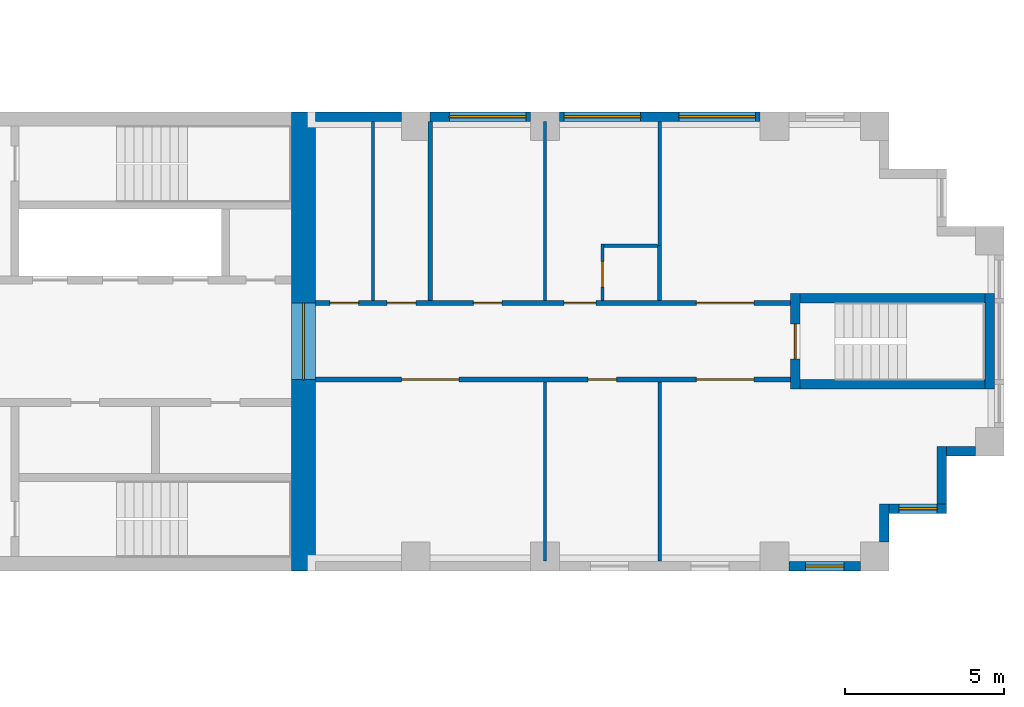
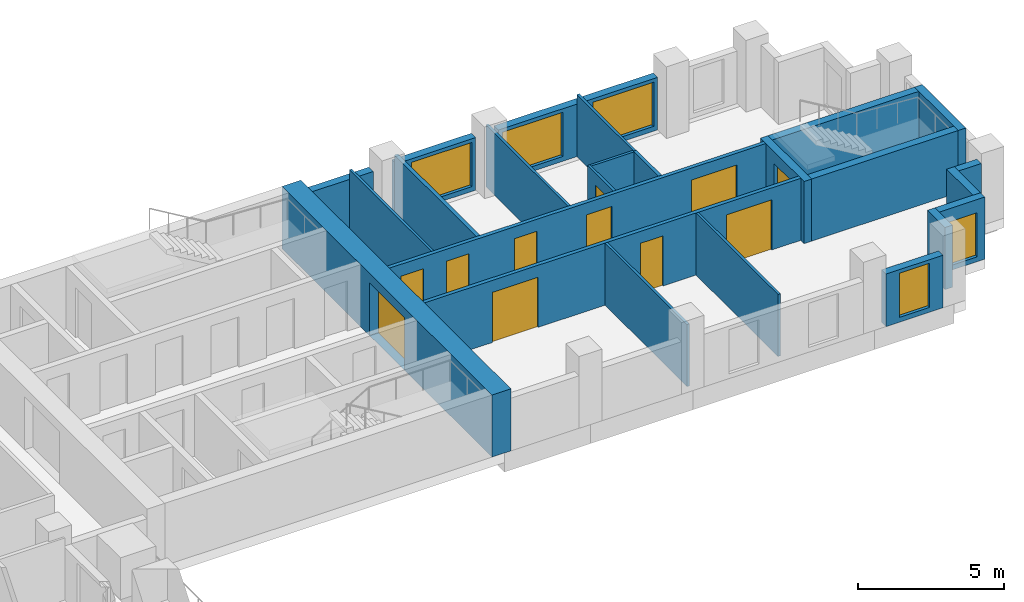
# One storey, part 8 of 11: 24 walls, 11 doors, 5 windows, 16 openings.
"""IFC4 building model written with IfcOpenShell, lengths in metres."""

from ifc_helpers import new_model, si_unit, direction, frame, frame_2d, origin, place, context, subcontext, project, spatial, rectangle, extrude, material, layer, layer_set, type_object, element, fill, save


model = new_model("IFC4")

# Units and contexts
model_context = context("Model", 3, precision=1e-05, world=origin(), true_north=direction((0.0, 1.0)))
body_context = subcontext(model_context, "Body", "Model", "MODEL_VIEW")
ifc_project = project(units=[si_unit("LENGTHUNIT", "METRE"), si_unit("AREAUNIT", "SQUARE_METRE"), si_unit("VOLUMEUNIT", "CUBIC_METRE"), si_unit("PLANEANGLEUNIT", "RADIAN"), si_unit("MASSUNIT", "GRAM", prefix="KILO")], contexts=[model_context])

# Site, building, storey
site_placement = place(None, origin())
site = spatial("IfcSite", under=ifc_project, at=site_placement, CompositionType="ELEMENT")
building_placement = place(site_placement, origin())
building = spatial("IfcBuilding", under=site, at=building_placement, Name="Fustian Cross Tower", CompositionType="ELEMENT")
storey_placement = place(building_placement, frame((0.0, 0.0, 138.300048828125)))
storey = spatial("IfcBuildingStorey", under=building, at=storey_placement, Name="L43", CompositionType="ELEMENT", Elevation=138.300048828125)

# Wall, openings, doors
ifc_material_1 = material(Name="Plasterboard on steel stud", Category="steel")
ifc_layer_1 = layer(ifc_material_1, 0.14990234375)
ifc_layer_set_1 = layer_set([ifc_layer_1], Name="Plasterboard on steel stud")
wall_type_1 = type_object("IfcWallType", Name="COMPARTMENT WALL 150 EI 60", PredefinedType="PARTITIONING", material=ifc_layer_set_1)
wall_1_placement = place(storey_placement, frame((21.60009765625, -1.199951171875, 0.0), z_axis=(0.0, 0.0, 1.0), x_axis=(1.0, 0.0, 0.0)))
wall_1 = element("IfcWall", 1, at=wall_1_placement, inside=storey, type_object=wall_type_1, Name="Partition 36", PredefinedType="PARTITIONING", context=body_context, shape_type="SweptSolid", body=[
    extrude(rectangle(XDim=14.89990234375, YDim=0.14990234375, at=frame_2d((7.449951171875, 0.0))), origin(), (0.0, 0.0, 1.0), 2.599853515625),
])
opening_1_placement = place(wall_1_placement, frame((2.699951171875, 0.0, 0.0)))
opening_1 = element("IfcOpeningElement", 2, at=opening_1_placement, cuts=wall_1, Name="Opening D20011", PredefinedType="OPENING", context=body_context, shape_type="SweptSolid", body=[
    extrude(rectangle(XDim=1.800048828125, YDim=2.10009765625, at=frame_2d((0.89990234375, 1.050048828125))), frame((0.0, 0.0849609375, 0.0), z_axis=(0.0, -1.0, 0.0), x_axis=(1.0, 0.0, 0.0)), (0.0, 0.0, 1.0), 0.169921875),
])
opening_2_placement = place(wall_1_placement, frame((8.550048828125, 0.0, 0.0)))
opening_2 = element("IfcOpeningElement", 3, at=opening_2_placement, cuts=wall_1, Name="Opening D20012", PredefinedType="OPENING", context=body_context, shape_type="SweptSolid", body=[
    extrude(rectangle(XDim=0.89990234375, YDim=2.10009765625, at=frame_2d((0.449951171875, 1.050048828125))), frame((0.0, 0.0849609375, 0.0), z_axis=(0.0, -1.0, 0.0), x_axis=(1.0, 0.0, 0.0)), (0.0, 0.0, 1.0), 0.169921875),
])
opening_3_placement = place(wall_1_placement, frame((11.949951171875, 0.0, 0.0)))
opening_3 = element("IfcOpeningElement", 4, at=opening_3_placement, cuts=wall_1, Name="Opening D20013", PredefinedType="OPENING", context=body_context, shape_type="SweptSolid", body=[
    extrude(rectangle(XDim=1.800048828125, YDim=2.10009765625, at=frame_2d((0.89990234375, 1.050048828125))), frame((0.0, 0.0849609375, 0.0), z_axis=(0.0, -1.0, 0.0), x_axis=(1.0, 0.0, 0.0)), (0.0, 0.0, 1.0), 0.169921875),
])
ifc_material_2 = material(Name="Timber fire door set", Category="wood")
door_type_1 = type_object("IfcDoorType", Name="FIRE DOUBLE DOOR 1800 FD30S", OperationType="DOUBLE_DOOR_DOUBLE_SWING", PredefinedType="DOOR", material=ifc_material_2)
door_1_placement = place(opening_1_placement, origin())
door_1 = element("IfcDoor", 5, at=door_1_placement, inside=storey, type_object=door_type_1, Name="Door D20011", OperationType="DOUBLE_DOOR_DOUBLE_SWING", OverallHeight=2.10009765625, OverallWidth=1.800048828125, PredefinedType="DOOR", context=body_context, shape_type="SweptSolid", body=[
    extrude(rectangle(XDim=1.800048828125, YDim=2.10009765625, at=frame_2d((0.89990234375, 1.050048828125))), frame((0.0, 0.02490234375, 0.0), z_axis=(0.0, -1.0, 0.0), x_axis=(1.0, 0.0, 0.0)), (0.0, 0.0, 1.0), 0.050048828125),
])
fill(opening_1, door_1)
door_2_placement = place(opening_3_placement, origin())
door_2 = element("IfcDoor", 6, at=door_2_placement, inside=storey, type_object=door_type_1, Name="Door D20013", OperationType="DOUBLE_DOOR_DOUBLE_SWING", OverallHeight=2.10009765625, OverallWidth=1.800048828125, PredefinedType="DOOR", context=body_context, shape_type="SweptSolid", body=[
    extrude(rectangle(XDim=1.800048828125, YDim=2.10009765625, at=frame_2d((0.89990234375, 1.050048828125))), frame((0.0, 0.02490234375, 0.0), z_axis=(0.0, -1.0, 0.0), x_axis=(1.0, 0.0, 0.0)), (0.0, 0.0, 1.0), 0.050048828125),
])
fill(opening_3, door_2)
ifc_material_3 = material(Name="Timber fire door set", Category="wood")
door_type_2 = type_object("IfcDoorType", Name="FIRE SWING DOOR 900 FD30S", OperationType="SINGLE_SWING_LEFT", PredefinedType="DOOR", material=ifc_material_3)
door_3_placement = place(opening_2_placement, frame((0.89990234375, 0.0, 0.0), z_axis=(0.0, 0.0, 1.0), x_axis=(-1.0, 0.0, 0.0)))
door_3 = element("IfcDoor", 7, at=door_3_placement, inside=storey, type_object=door_type_2, Name="Door D20012", OperationType="SINGLE_SWING_RIGHT", OverallHeight=2.10009765625, OverallWidth=0.89990234375, PredefinedType="DOOR", context=body_context, shape_type="SweptSolid", body=[
    extrude(rectangle(XDim=0.89990234375, YDim=2.10009765625, at=frame_2d((0.449951171875, 1.050048828125))), frame((0.0, 0.02490234375, 0.0), z_axis=(0.0, -1.0, 0.0), x_axis=(1.0, 0.0, 0.0)), (0.0, 0.0, 1.0), 0.050048828125),
])
fill(opening_2, door_3)

wall_2_placement = place(storey_placement, frame((21.60009765625, 1.199951171875, 0.0), z_axis=(0.0, 0.0, 1.0), x_axis=(1.0, 0.0, 0.0)))
wall_2 = element("IfcWall", 8, at=wall_2_placement, inside=storey, type_object=wall_type_1, Name="Partition 37", PredefinedType="PARTITIONING", context=body_context, shape_type="SweptSolid", body=[
    extrude(rectangle(XDim=14.89990234375, YDim=0.14990234375, at=frame_2d((7.449951171875, 0.0))), origin(), (0.0, 0.0, 1.0), 2.599853515625),
])
opening_4_placement = place(wall_2_placement, frame((0.449951171875, 0.0, 0.0)))
opening_4 = element("IfcOpeningElement", 9, at=opening_4_placement, cuts=wall_2, Name="Opening D20005", PredefinedType="OPENING", context=body_context, shape_type="SweptSolid", body=[
    extrude(rectangle(XDim=0.89990234375, YDim=2.10009765625, at=frame_2d((0.449951171875, 1.050048828125))), frame((0.0, 0.0849609375, 0.0), z_axis=(0.0, -1.0, 0.0), x_axis=(1.0, 0.0, 0.0)), (0.0, 0.0, 1.0), 0.169921875),
])
opening_5_placement = place(wall_2_placement, frame((2.25, 0.0, 0.0)))
opening_5 = element("IfcOpeningElement", 10, at=opening_5_placement, cuts=wall_2, Name="Opening D20006", PredefinedType="OPENING", context=body_context, shape_type="SweptSolid", body=[
    extrude(rectangle(XDim=0.89990234375, YDim=2.10009765625, at=frame_2d((0.449951171875, 1.050048828125))), frame((0.0, 0.0849609375, 0.0), z_axis=(0.0, -1.0, 0.0), x_axis=(1.0, 0.0, 0.0)), (0.0, 0.0, 1.0), 0.169921875),
])
opening_6_placement = place(wall_2_placement, frame((4.949951171875, 0.0, 0.0)))
opening_6 = element("IfcOpeningElement", 11, at=opening_6_placement, cuts=wall_2, Name="Opening D20007", PredefinedType="OPENING", context=body_context, shape_type="SweptSolid", body=[
    extrude(rectangle(XDim=0.89990234375, YDim=2.10009765625, at=frame_2d((0.449951171875, 1.050048828125))), frame((0.0, 0.0849609375, 0.0), z_axis=(0.0, -1.0, 0.0), x_axis=(1.0, 0.0, 0.0)), (0.0, 0.0, 1.0), 0.169921875),
])
opening_7_placement = place(wall_2_placement, frame((7.800048828125, 0.0, 0.0)))
opening_7 = element("IfcOpeningElement", 12, at=opening_7_placement, cuts=wall_2, Name="Opening D20009", PredefinedType="OPENING", context=body_context, shape_type="SweptSolid", body=[
    extrude(rectangle(XDim=1.0, YDim=2.10009765625, at=frame_2d((0.5, 1.050048828125))), frame((0.0, 0.0849609375, 0.0), z_axis=(0.0, -1.0, 0.0), x_axis=(1.0, 0.0, 0.0)), (0.0, 0.0, 1.0), 0.169921875),
])
opening_8_placement = place(wall_2_placement, frame((11.949951171875, 0.0, 0.0)))
opening_8 = element("IfcOpeningElement", 13, at=opening_8_placement, cuts=wall_2, Name="Opening D20010", PredefinedType="OPENING", context=body_context, shape_type="SweptSolid", body=[
    extrude(rectangle(XDim=1.800048828125, YDim=2.10009765625, at=frame_2d((0.89990234375, 1.050048828125))), frame((0.0, 0.0849609375, 0.0), z_axis=(0.0, -1.0, 0.0), x_axis=(1.0, 0.0, 0.0)), (0.0, 0.0, 1.0), 0.169921875),
])
door_4_placement = place(opening_8_placement, frame((1.800048828125, 0.0, 0.0), z_axis=(0.0, 0.0, 1.0), x_axis=(-1.0, 0.0, 0.0)))
door_4 = element("IfcDoor", 14, at=door_4_placement, inside=storey, type_object=door_type_1, Name="Door D20010", OperationType="DOUBLE_DOOR_DOUBLE_SWING", OverallHeight=2.10009765625, OverallWidth=1.800048828125, PredefinedType="DOOR", context=body_context, shape_type="SweptSolid", body=[
    extrude(rectangle(XDim=1.800048828125, YDim=2.10009765625, at=frame_2d((0.89990234375, 1.050048828125))), frame((0.0, 0.02490234375, 0.0), z_axis=(0.0, -1.0, 0.0), x_axis=(1.0, 0.0, 0.0)), (0.0, 0.0, 1.0), 0.050048828125),
])
fill(opening_8, door_4)
ifc_material_4 = material(Name="Timber fire door set", Category="wood")
door_type_3 = type_object("IfcDoorType", Name="FIRE SWING DOOR 1000 FD30S", OperationType="SINGLE_SWING_LEFT", PredefinedType="DOOR", material=ifc_material_4)
door_5_placement = place(opening_7_placement, origin())
door_5 = element("IfcDoor", 15, at=door_5_placement, inside=storey, type_object=door_type_3, Name="Door D20009", OperationType="SINGLE_SWING_RIGHT", OverallHeight=2.10009765625, OverallWidth=1.0, PredefinedType="DOOR", context=body_context, shape_type="SweptSolid", body=[
    extrude(rectangle(XDim=1.0, YDim=2.10009765625, at=frame_2d((0.5, 1.050048828125))), frame((0.0, 0.02490234375, 0.0), z_axis=(0.0, -1.0, 0.0), x_axis=(1.0, 0.0, 0.0)), (0.0, 0.0, 1.0), 0.050048828125),
])
fill(opening_7, door_5)
door_6_placement = place(opening_4_placement, origin())
door_6 = element("IfcDoor", 16, at=door_6_placement, inside=storey, type_object=door_type_2, Name="Door D20005", OperationType="SINGLE_SWING_RIGHT", OverallHeight=2.10009765625, OverallWidth=0.89990234375, PredefinedType="DOOR", context=body_context, shape_type="SweptSolid", body=[
    extrude(rectangle(XDim=0.89990234375, YDim=2.10009765625, at=frame_2d((0.449951171875, 1.050048828125))), frame((0.0, 0.02490234375, 0.0), z_axis=(0.0, -1.0, 0.0), x_axis=(1.0, 0.0, 0.0)), (0.0, 0.0, 1.0), 0.050048828125),
])
fill(opening_4, door_6)
door_7_placement = place(opening_5_placement, origin())
door_7 = element("IfcDoor", 17, at=door_7_placement, inside=storey, type_object=door_type_2, Name="Door D20006", OperationType="SINGLE_SWING_RIGHT", OverallHeight=2.10009765625, OverallWidth=0.89990234375, PredefinedType="DOOR", context=body_context, shape_type="SweptSolid", body=[
    extrude(rectangle(XDim=0.89990234375, YDim=2.10009765625, at=frame_2d((0.449951171875, 1.050048828125))), frame((0.0, 0.02490234375, 0.0), z_axis=(0.0, -1.0, 0.0), x_axis=(1.0, 0.0, 0.0)), (0.0, 0.0, 1.0), 0.050048828125),
])
fill(opening_5, door_7)
door_8_placement = place(opening_6_placement, origin())
door_8 = element("IfcDoor", 18, at=door_8_placement, inside=storey, type_object=door_type_2, Name="Door D20007", OperationType="SINGLE_SWING_LEFT", OverallHeight=2.10009765625, OverallWidth=0.89990234375, PredefinedType="DOOR", context=body_context, shape_type="SweptSolid", body=[
    extrude(rectangle(XDim=0.89990234375, YDim=2.10009765625, at=frame_2d((0.449951171875, 1.050048828125))), frame((0.0, 0.02490234375, 0.0), z_axis=(0.0, -1.0, 0.0), x_axis=(1.0, 0.0, 0.0)), (0.0, 0.0, 1.0), 0.050048828125),
])
fill(opening_6, door_8)

# Wall
wall_3_placement = place(storey_placement, frame((25.199951171875, 1.27490234375, 0.0), z_axis=(0.0, 0.0, 1.0), x_axis=(0.0, 1.0, 0.0)))
element("IfcWall", 19, at=wall_3_placement, inside=storey, type_object=wall_type_1, Name="Partition 39", PredefinedType="PARTITIONING", context=body_context, shape_type="SweptSolid", body=[
    extrude(rectangle(XDim=5.625, YDim=0.14990234375, at=frame_2d((2.8125, 0.0))), origin(), (0.0, 0.0, 1.0), 2.599853515625),
])

# Wall, opening, door
ifc_material_5 = material(Name="Concrete C60/75", Category="concrete")
ifc_layer_2 = layer(ifc_material_5, 0.75)
ifc_layer_set_2 = layer_set([ifc_layer_2], Name="Concrete C60/75")
wall_type_2 = type_object("IfcWallType", Name="CORE END WALL 750 C60/75", PredefinedType="SHEAR", material=ifc_layer_set_2)
wall_4_placement = place(storey_placement, frame((21.22509765625, -7.199951171875, 0.0), z_axis=(0.0, 0.0, 1.0), x_axis=(0.0, 1.0, 0.0)))
wall_4 = element("IfcWall", 20, at=wall_4_placement, inside=storey, type_object=wall_type_2, Name="Core end wall", PredefinedType="SHEAR", context=body_context, shape_type="SweptSolid", body=[
    extrude(rectangle(XDim=14.39990234375, YDim=0.75, at=frame_2d((7.199951171875, 0.0))), origin(), (0.0, 0.0, 1.0), 2.599853515625),
])
opening_9_placement = place(wall_4_placement, frame((6.0, 0.0, 0.0)))
opening_9 = element("IfcOpeningElement", 21, at=opening_9_placement, cuts=wall_4, Name="Opening CD-18-13", PredefinedType="OPENING", context=body_context, shape_type="SweptSolid", body=[
    extrude(rectangle(XDim=2.39990234375, YDim=2.199951171875, at=frame_2d((1.199951171875, 1.10009765625))), frame((0.0, 0.385009765625, 0.0), z_axis=(0.0, -1.0, 0.0), x_axis=(1.0, 0.0, 0.0)), (0.0, 0.0, 1.0), 0.77001953125),
])
ifc_material_6 = material(Name="Steel", Category="steel")
door_type_4 = type_object("IfcDoorType", Name="FIRE DOOR FD30S DOUBLE 2400X2200", OperationType="DOUBLE_DOOR_DOUBLE_SWING", PredefinedType="DOOR", material=ifc_material_6)
door_9_placement = place(opening_9_placement, origin())
door_9 = element("IfcDoor", 22, at=door_9_placement, inside=storey, type_object=door_type_4, Name="Core door CD-18-13", OperationType="DOUBLE_DOOR_DOUBLE_SWING", OverallHeight=2.199951171875, OverallWidth=2.39990234375, PredefinedType="DOOR", context=body_context, shape_type="SweptSolid", body=[
    extrude(rectangle(XDim=2.39990234375, YDim=2.199951171875, at=frame_2d((1.199951171875, 1.10009765625))), frame((0.0, 0.02490234375, 0.0), z_axis=(0.0, -1.0, 0.0), x_axis=(1.0, 0.0, 0.0)), (0.0, 0.0, 1.0), 0.050048828125),
])
fill(opening_9, door_9)

# Walls
ifc_material_7 = material(Name="Plasterboard on steel stud", Category="steel")
ifc_layer_3 = layer(ifc_material_7, 0.10009765625)
ifc_layer_set_3 = layer_set([ifc_layer_3], Name="Plasterboard on steel stud")
wall_type_3 = type_object("IfcWallType", Name="PARTITION 100 STUD", PredefinedType="PARTITIONING", material=ifc_layer_set_3)
for number, where, z_axis, x_axis, name in (
    (23, (23.39990234375, 1.27490234375, 0.0), (0.0, 0.0, 1.0), (0.0, 1.0, 0.0), "Partition 38"),
    (24, (28.800048828125, -6.89990234375, 0.0), (0.0, 0.0, 1.0), (0.0, 1.0, 0.0), "Partition 40"),
    (25, (28.800048828125, 1.27490234375, 0.0), (0.0, 0.0, 1.0), (0.0, 1.0, 0.0), "Partition 41"),
):
    element("IfcWall", number, at=place(storey_placement, frame(where, z_axis=z_axis, x_axis=x_axis)), inside=storey, type_object=wall_type_3, Name=name, PredefinedType="PARTITIONING", context=body_context, shape_type="SweptSolid", body=[
        extrude(rectangle(XDim=5.625, YDim=0.10009765625, at=frame_2d((2.8125, 0.0))), origin(), (0.0, 0.0, 1.0), 2.599853515625),
    ])

# Wall, opening, door
wall_5_placement = place(storey_placement, frame((30.60009765625, 1.27490234375, 0.0), z_axis=(0.0, 0.0, 1.0), x_axis=(0.0, 1.0, 0.0)))
wall_5 = element("IfcWall", 26, at=wall_5_placement, inside=storey, type_object=wall_type_3, Name="Partition 42", PredefinedType="PARTITIONING", context=body_context, shape_type="SweptSolid", body=[
    extrude(rectangle(XDim=1.775146484375, YDim=0.10009765625, at=frame_2d((0.8876953125, 0.0))), origin(), (0.0, 0.0, 1.0), 2.599853515625),
])
opening_10_placement = place(wall_5_placement, frame((0.425048828125, 0.0, 0.0)))
opening_10 = element("IfcOpeningElement", 27, at=opening_10_placement, cuts=wall_5, Name="Opening D20008", PredefinedType="OPENING", context=body_context, shape_type="SweptSolid", body=[
    extrude(rectangle(XDim=0.800048828125, YDim=2.10009765625, at=frame_2d((0.39990234375, 1.050048828125))), frame((0.0, 0.06005859375, 0.0), z_axis=(0.0, -1.0, 0.0), x_axis=(1.0, 0.0, 0.0)), (0.0, 0.0, 1.0), 0.1201171875),
])
ifc_material_8 = material(Name="Painted timber", Category="wood")
door_type_5 = type_object("IfcDoorType", Name="SWING DOOR 800", OperationType="SINGLE_SWING_LEFT", PredefinedType="DOOR", material=ifc_material_8)
door_10_placement = place(opening_10_placement, frame((0.800048828125, 0.0, 0.0), z_axis=(0.0, 0.0, 1.0), x_axis=(-1.0, 0.0, 0.0)))
door_10 = element("IfcDoor", 28, at=door_10_placement, inside=storey, type_object=door_type_5, Name="Door D20008", OperationType="SINGLE_SWING_LEFT", OverallHeight=2.10009765625, OverallWidth=0.800048828125, PredefinedType="DOOR", context=body_context, shape_type="SweptSolid", body=[
    extrude(rectangle(XDim=0.800048828125, YDim=2.10009765625, at=frame_2d((0.39990234375, 1.050048828125))), frame((0.0, 0.02490234375, 0.0), z_axis=(0.0, -1.0, 0.0), x_axis=(1.0, 0.0, 0.0)), (0.0, 0.0, 1.0), 0.050048828125),
])
fill(opening_10, door_10)

# Walls
wall_6_placement = place(storey_placement, frame((30.64990234375, 3.0, 0.0), z_axis=(0.0, 0.0, 1.0), x_axis=(1.0, 0.0, 0.0)))
element("IfcWall", 29, at=wall_6_placement, inside=storey, type_object=wall_type_3, Name="Partition 43", PredefinedType="PARTITIONING", context=body_context, shape_type="SweptSolid", body=[
    extrude(rectangle(XDim=1.6875, YDim=0.10009765625, at=frame_2d((0.84375, 0.0))), origin(), (0.0, 0.0, 1.0), 2.599853515625),
])
wall_7_placement = place(storey_placement, frame((32.39990234375, -6.89990234375, 0.0), z_axis=(0.0, 0.0, 1.0), x_axis=(0.0, 1.0, 0.0)))
element("IfcWall", 30, at=wall_7_placement, inside=storey, type_object=wall_type_3, Name="Partition 44", PredefinedType="PARTITIONING", context=body_context, shape_type="SweptSolid", body=[
    extrude(rectangle(XDim=5.625, YDim=0.10009765625, at=frame_2d((2.8125, 0.0))), origin(), (0.0, 0.0, 1.0), 2.599853515625),
])
wall_8_placement = place(storey_placement, frame((32.39990234375, 3.0, 0.0), z_axis=(0.0, 0.0, 1.0), x_axis=(0.0, 1.0, 0.0)))
element("IfcWall", 31, at=wall_8_placement, inside=storey, type_object=wall_type_3, Name="Partition 46", PredefinedType="PARTITIONING", context=body_context, shape_type="SweptSolid", body=[
    extrude(rectangle(XDim=3.89990234375, YDim=0.10009765625, at=frame_2d((1.949951171875, 0.0))), origin(), (0.0, 0.0, 1.0), 2.599853515625),
])

# Wall, opening, door
ifc_material_9 = material(Name="Concrete C50/60", Category="concrete")
ifc_layer_4 = layer(ifc_material_9, 0.300048828125)
ifc_layer_set_4 = layer_set([ifc_layer_4], Name="Concrete C50/60")
wall_type_4 = type_object("IfcWallType", Name="STAIR ENCLOSURE WALL 300 C50/60", PredefinedType="SHEAR", material=ifc_layer_set_4)
wall_9_placement = place(storey_placement, frame((36.64990234375, -1.5, 0.0), z_axis=(0.0, 0.0, 1.0), x_axis=(0.0, 1.0, 0.0)))
wall_9 = element("IfcWall", 32, at=wall_9_placement, inside=storey, type_object=wall_type_4, Name="Stair enclosure wall", PredefinedType="SHEAR", context=body_context, shape_type="SweptSolid", body=[
    extrude(rectangle(XDim=3.0, YDim=0.300048828125, at=frame_2d((1.5, 0.0))), origin(), (0.0, 0.0, 1.0), 2.599853515625),
])
opening_11_placement = place(wall_9_placement, frame((0.949951171875, 0.0, 0.0)))
opening_11 = element("IfcOpeningElement", 33, at=opening_11_placement, cuts=wall_9, Name="Opening CD-18-33", PredefinedType="OPENING", context=body_context, shape_type="SweptSolid", body=[
    extrude(rectangle(XDim=1.10009765625, YDim=2.10009765625, at=frame_2d((0.550048828125, 1.050048828125))), frame((0.0, 0.159912109375, 0.0), z_axis=(0.0, -1.0, 0.0), x_axis=(1.0, 0.0, 0.0)), (0.0, 0.0, 1.0), 0.320068359375),
])
ifc_material_10 = material(Name="Steel", Category="steel")
door_type_6 = type_object("IfcDoorType", Name="FIRE DOOR FD60S 1100X2100", OperationType="SINGLE_SWING_LEFT", PredefinedType="DOOR", material=ifc_material_10)
door_11_placement = place(opening_11_placement, frame((1.10009765625, 0.0, 0.0), z_axis=(0.0, 0.0, 1.0), x_axis=(-1.0, 0.0, 0.0)))
door_11 = element("IfcDoor", 34, at=door_11_placement, inside=storey, type_object=door_type_6, Name="Core door CD-18-33", OperationType="SINGLE_SWING_RIGHT", OverallHeight=2.10009765625, OverallWidth=1.10009765625, PredefinedType="DOOR", context=body_context, shape_type="SweptSolid", body=[
    extrude(rectangle(XDim=1.10009765625, YDim=2.10009765625, at=frame_2d((0.550048828125, 1.050048828125))), frame((0.0, 0.02490234375, 0.0), z_axis=(0.0, -1.0, 0.0), x_axis=(1.0, 0.0, 0.0)), (0.0, 0.0, 1.0), 0.050048828125),
])
fill(opening_11, door_11)

# Walls
wall_10_placement = place(storey_placement, frame((42.75, -1.5, 0.0), z_axis=(0.0, 0.0, 1.0), x_axis=(0.0, 1.0, 0.0)))
element("IfcWall", 35, at=wall_10_placement, inside=storey, type_object=wall_type_4, Name="Stair enclosure wall", PredefinedType="SHEAR", context=body_context, shape_type="SweptSolid", body=[
    extrude(rectangle(XDim=3.0, YDim=0.300048828125, at=frame_2d((1.5, 0.0))), origin(), (0.0, 0.0, 1.0), 2.599853515625),
])
for number, where, z_axis, x_axis, name in (
    (36, (36.800048828125, -1.35009765625, 0.0), (0.0, 0.0, 1.0), (1.0, 0.0, 0.0), "Stair enclosure wall"),
    (37, (36.800048828125, 1.35009765625, 0.0), (0.0, 0.0, 1.0), (1.0, 0.0, 0.0), "Stair enclosure wall"),
):
    element("IfcWall", number, at=place(storey_placement, frame(where, z_axis=z_axis, x_axis=x_axis)), inside=storey, type_object=wall_type_4, Name=name, PredefinedType="SHEAR", context=body_context, shape_type="SweptSolid", body=[
        extrude(rectangle(XDim=5.800048828125, YDim=0.300048828125, at=frame_2d((2.89990234375, 0.0))), origin(), (0.0, 0.0, 1.0), 2.599853515625),
    ])
ifc_material_11 = material(Name="Plasterboard on steel stud", Category="steel")
ifc_layer_5 = layer(ifc_material_11, 0.125)
ifc_layer_set_5 = layer_set([ifc_layer_5], Name="Plasterboard on steel stud")
wall_type_5 = type_object("IfcWallType", Name="WET WALL 125 STUD", PredefinedType="PARTITIONING", material=ifc_layer_set_5)
wall_11_placement = place(storey_placement, frame((32.39990234375, 1.27490234375, 0.0), z_axis=(0.0, 0.0, 1.0), x_axis=(0.0, 1.0, 0.0)))
element("IfcWall", 38, at=wall_11_placement, inside=storey, type_object=wall_type_5, Name="Partition 45", PredefinedType="PARTITIONING", context=body_context, shape_type="SweptSolid", body=[
    extrude(rectangle(XDim=1.72509765625, YDim=0.125, at=frame_2d((0.862548828125, 0.0))), origin(), (0.0, 0.0, 1.0), 2.599853515625),
])

# Wall, opening, window
ifc_material_12 = material(Name="Dark aluminium cladding on insulated backing wall", Category="aluminium")
ifc_layer_6 = layer(ifc_material_12, 0.300048828125)
ifc_layer_set_6 = layer_set([ifc_layer_6], Name="Dark aluminium cladding on insulated backing wall")
wall_type_6 = type_object("IfcWallType", Name="XW1 EXTERNAL WALL 300", PredefinedType="SOLIDWALL", material=ifc_layer_set_6)
wall_12_placement = place(storey_placement, frame((36.449951171875, -7.050048828125, 0.0), z_axis=(0.0, 0.0, 1.0), x_axis=(1.0, 0.0, 0.0)))
wall_12 = element("IfcWall", 39, at=wall_12_placement, inside=storey, type_object=wall_type_6, Name="External wall", PredefinedType="SOLIDWALL", context=body_context, shape_type="SweptSolid", body=[
    extrude(rectangle(XDim=2.25, YDim=0.300048828125, at=frame_2d((1.125, 0.0))), origin(), (0.0, 0.0, 1.0), 2.199951171875),
])
opening_12_placement = place(wall_12_placement, frame((0.52490234375, 0.0, 0.199951171875)))
opening_12 = element("IfcOpeningElement", 40, at=opening_12_placement, cuts=wall_12, Name="Opening WN3", PredefinedType="OPENING", context=body_context, shape_type="SweptSolid", body=[
    extrude(rectangle(XDim=1.199951171875, YDim=1.85009765625, at=frame_2d((0.60009765625, 0.925048828125))), frame((0.0, 0.159912109375, 0.0), z_axis=(0.0, -1.0, 0.0), x_axis=(1.0, 0.0, 0.0)), (0.0, 0.0, 1.0), 0.320068359375),
])
ifc_material_13 = material(Name="Dark anodised aluminium and double glazing", Category="aluminium")
window_type_1 = type_object("IfcWindowType", Name="WN3 WINDOW 1200X1850", PartitioningType="SINGLE_PANEL", PredefinedType="WINDOW", material=ifc_material_13)
window_1_placement = place(opening_12_placement, origin())
window_1 = element("IfcWindow", 41, at=window_1_placement, inside=storey, type_object=window_type_1, Name="Window", OverallHeight=1.85009765625, OverallWidth=1.199951171875, PartitioningType="SINGLE_PANEL", PredefinedType="WINDOW", context=body_context, shape_type="SweptSolid", body=[
    extrude(rectangle(XDim=1.199951171875, YDim=1.85009765625, at=frame_2d((0.60009765625, 0.925048828125))), frame((0.0, 0.030029296875, 0.0), z_axis=(0.0, -1.0, 0.0), x_axis=(1.0, 0.0, 0.0)), (0.0, 0.0, 1.0), 0.06005859375),
])
fill(opening_12, window_1)

# Wall
wall_13_placement = place(storey_placement, frame((39.449951171875, -6.300048828125, 0.0), z_axis=(0.0, 0.0, 1.0), x_axis=(0.0, 1.0, 0.0)))
element("IfcWall", 42, at=wall_13_placement, inside=storey, type_object=wall_type_6, Name="External wall", PredefinedType="SOLIDWALL", context=body_context, shape_type="SweptSolid", body=[
    extrude(rectangle(XDim=1.199951171875, YDim=0.300048828125, at=frame_2d((0.60009765625, 0.0))), origin(), (0.0, 0.0, 1.0), 2.599853515625),
])

# Wall, opening, window
wall_14_placement = place(storey_placement, frame((39.60009765625, -5.25, 0.0), z_axis=(0.0, 0.0, 1.0), x_axis=(1.0, 0.0, 0.0)))
wall_14 = element("IfcWall", 43, at=wall_14_placement, inside=storey, type_object=wall_type_6, Name="External wall", PredefinedType="SOLIDWALL", context=body_context, shape_type="SweptSolid", body=[
    extrude(rectangle(XDim=1.7998046875, YDim=0.300048828125, at=frame_2d((0.89990234375, 0.0))), origin(), (0.0, 0.0, 1.0), 2.599853515625),
])
opening_13_placement = place(wall_14_placement, frame((0.300048828125, 0.0, 0.199951171875)))
opening_13 = element("IfcOpeningElement", 44, at=opening_13_placement, cuts=wall_14, Name="Opening WN3", PredefinedType="OPENING", context=body_context, shape_type="SweptSolid", body=[
    extrude(rectangle(XDim=1.199951171875, YDim=1.85009765625, at=frame_2d((0.60009765625, 0.925048828125))), frame((0.0, 0.159912109375, 0.0), z_axis=(0.0, -1.0, 0.0), x_axis=(1.0, 0.0, 0.0)), (0.0, 0.0, 1.0), 0.320068359375),
])
window_2_placement = place(opening_13_placement, origin())
window_2 = element("IfcWindow", 45, at=window_2_placement, inside=storey, type_object=window_type_1, Name="Window", OverallHeight=1.85009765625, OverallWidth=1.199951171875, PartitioningType="SINGLE_PANEL", PredefinedType="WINDOW", context=body_context, shape_type="SweptSolid", body=[
    extrude(rectangle(XDim=1.199951171875, YDim=1.85009765625, at=frame_2d((0.60009765625, 0.925048828125))), frame((0.0, 0.030029296875, 0.0), z_axis=(0.0, -1.0, 0.0), x_axis=(1.0, 0.0, 0.0)), (0.0, 0.0, 1.0), 0.06005859375),
])
fill(opening_13, window_2)

# Walls
wall_15_placement = place(storey_placement, frame((41.25, -5.10009765625, 0.0), z_axis=(0.0, 0.0, 1.0), x_axis=(0.0, 1.0, 0.0)))
element("IfcWall", 46, at=wall_15_placement, inside=storey, type_object=wall_type_6, Name="External wall", PredefinedType="SOLIDWALL", context=body_context, shape_type="SweptSolid", body=[
    extrude(rectangle(XDim=1.800048828125, YDim=0.300048828125, at=frame_2d((0.89990234375, 0.0))), origin(), (0.0, 0.0, 1.0), 2.599853515625),
])
wall_16_placement = place(storey_placement, frame((41.39990234375, -3.449951171875, 0.0), z_axis=(0.0, 0.0, 1.0), x_axis=(1.0, 0.0, 0.0)))
element("IfcWall", 47, at=wall_16_placement, inside=storey, type_object=wall_type_6, Name="External wall", PredefinedType="SOLIDWALL", context=body_context, shape_type="SweptSolid", body=[
    extrude(rectangle(XDim=0.900146484375, YDim=0.300048828125, at=frame_2d((0.4501953125, 0.0))), origin(), (0.0, 0.0, 1.0), 2.599853515625),
])

# Wall, openings, windows
wall_17_placement = place(storey_placement, frame((35.550048828125, 7.050048828125, 0.0), z_axis=(0.0, 0.0, 1.0), x_axis=(-1.0, 0.0, 0.0)))
wall_17 = element("IfcWall", 48, at=wall_17_placement, inside=storey, type_object=wall_type_6, Name="External wall", PredefinedType="SOLIDWALL", context=body_context, shape_type="SweptSolid", body=[
    extrude(rectangle(XDim=6.300048828125, YDim=0.300048828125, at=frame_2d((3.14990234375, 0.0))), origin(), (0.0, 0.0, 1.0), 2.199951171875),
])
opening_14_placement = place(wall_17_placement, frame((0.14990234375, 0.0, 0.199951171875)))
opening_14 = element("IfcOpeningElement", 49, at=opening_14_placement, cuts=wall_17, Name="Opening WN1", PredefinedType="OPENING", context=body_context, shape_type="SweptSolid", body=[
    extrude(rectangle(XDim=2.39990234375, YDim=1.85009765625, at=frame_2d((1.199951171875, 0.925048828125))), frame((0.0, 0.159912109375, 0.0), z_axis=(0.0, -1.0, 0.0), x_axis=(1.0, 0.0, 0.0)), (0.0, 0.0, 1.0), 0.320068359375),
])
opening_15_placement = place(wall_17_placement, frame((3.75, 0.0, 0.199951171875)))
opening_15 = element("IfcOpeningElement", 50, at=opening_15_placement, cuts=wall_17, Name="Opening WN1", PredefinedType="OPENING", context=body_context, shape_type="SweptSolid", body=[
    extrude(rectangle(XDim=2.39990234375, YDim=1.85009765625, at=frame_2d((1.199951171875, 0.925048828125))), frame((0.0, 0.159912109375, 0.0), z_axis=(0.0, -1.0, 0.0), x_axis=(1.0, 0.0, 0.0)), (0.0, 0.0, 1.0), 0.320068359375),
])
ifc_material_14 = material(Name="Dark anodised aluminium and double glazing", Category="aluminium")
window_type_2 = type_object("IfcWindowType", Name="WN1 WINDOW 2400X1850", PartitioningType="SINGLE_PANEL", PredefinedType="WINDOW", material=ifc_material_14)
window_3_placement = place(opening_14_placement, origin())
window_3 = element("IfcWindow", 51, at=window_3_placement, inside=storey, type_object=window_type_2, Name="Window", OverallHeight=1.85009765625, OverallWidth=2.39990234375, PartitioningType="SINGLE_PANEL", PredefinedType="WINDOW", context=body_context, shape_type="SweptSolid", body=[
    extrude(rectangle(XDim=2.39990234375, YDim=1.85009765625, at=frame_2d((1.199951171875, 0.925048828125))), frame((0.0, 0.030029296875, 0.0), z_axis=(0.0, -1.0, 0.0), x_axis=(1.0, 0.0, 0.0)), (0.0, 0.0, 1.0), 0.06005859375),
])
fill(opening_14, window_3)
window_4_placement = place(opening_15_placement, origin())
window_4 = element("IfcWindow", 52, at=window_4_placement, inside=storey, type_object=window_type_2, Name="Window", OverallHeight=1.85009765625, OverallWidth=2.39990234375, PartitioningType="SINGLE_PANEL", PredefinedType="WINDOW", context=body_context, shape_type="SweptSolid", body=[
    extrude(rectangle(XDim=2.39990234375, YDim=1.85009765625, at=frame_2d((1.199951171875, 0.925048828125))), frame((0.0, 0.030029296875, 0.0), z_axis=(0.0, -1.0, 0.0), x_axis=(1.0, 0.0, 0.0)), (0.0, 0.0, 1.0), 0.06005859375),
])
fill(opening_15, window_4)

# Wall, opening, window
wall_18_placement = place(storey_placement, frame((28.35009765625, 7.050048828125, 0.0), z_axis=(0.0, 0.0, 1.0), x_axis=(-1.0, 0.0, 0.0)))
wall_18 = element("IfcWall", 53, at=wall_18_placement, inside=storey, type_object=wall_type_6, Name="External wall", PredefinedType="SOLIDWALL", context=body_context, shape_type="SweptSolid", body=[
    extrude(rectangle(XDim=3.150146484375, YDim=0.300048828125, at=frame_2d((1.5751953125, 0.0))), origin(), (0.0, 0.0, 1.0), 2.199951171875),
])
opening_16_placement = place(wall_18_placement, frame((0.14990234375, 0.0, 0.199951171875)))
opening_16 = element("IfcOpeningElement", 54, at=opening_16_placement, cuts=wall_18, Name="Opening WN1", PredefinedType="OPENING", context=body_context, shape_type="SweptSolid", body=[
    extrude(rectangle(XDim=2.39990234375, YDim=1.85009765625, at=frame_2d((1.199951171875, 0.925048828125))), frame((0.0, 0.159912109375, 0.0), z_axis=(0.0, -1.0, 0.0), x_axis=(1.0, 0.0, 0.0)), (0.0, 0.0, 1.0), 0.320068359375),
])
window_5_placement = place(opening_16_placement, origin())
window_5 = element("IfcWindow", 55, at=window_5_placement, inside=storey, type_object=window_type_2, Name="Window", OverallHeight=1.85009765625, OverallWidth=2.39990234375, PartitioningType="SINGLE_PANEL", PredefinedType="WINDOW", context=body_context, shape_type="SweptSolid", body=[
    extrude(rectangle(XDim=2.39990234375, YDim=1.85009765625, at=frame_2d((1.199951171875, 0.925048828125))), frame((0.0, 0.030029296875, 0.0), z_axis=(0.0, -1.0, 0.0), x_axis=(1.0, 0.0, 0.0)), (0.0, 0.0, 1.0), 0.06005859375),
])
fill(opening_16, window_5)

# Wall
wall_19_placement = place(storey_placement, frame((24.300048828125, 7.050048828125, 0.0), z_axis=(0.0, 0.0, 1.0), x_axis=(-1.0, 0.0, 0.0)))
element("IfcWall", 56, at=wall_19_placement, inside=storey, type_object=wall_type_6, Name="External wall", PredefinedType="SOLIDWALL", context=body_context, shape_type="SweptSolid", body=[
    extrude(rectangle(XDim=2.699951171875, YDim=0.300048828125, at=frame_2d((1.35009765625, 0.0))), origin(), (0.0, 0.0, 1.0), 2.199951171875),
])

save(model, "model.ifc")
